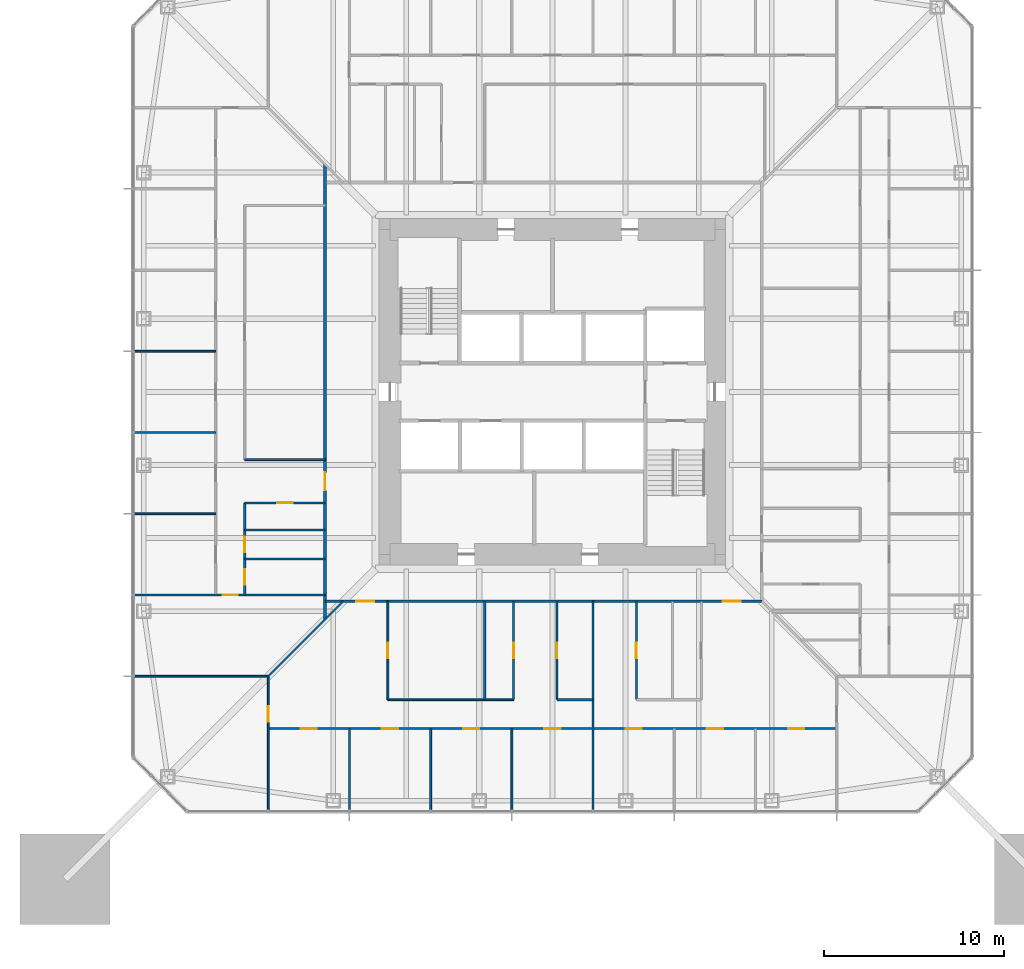
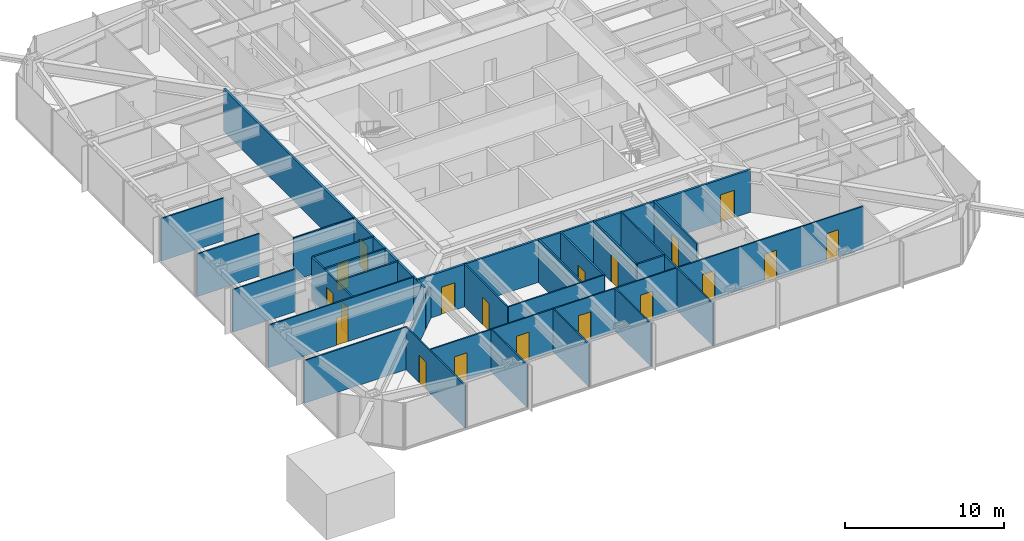
# One storey, part 14 of 26: 26 walls, 19 doors, 19 openings.
"""IFC4 building model written with IfcOpenShell, lengths in metres."""

from ifc_helpers import new_model, si_unit, direction, frame, frame_2d, origin, place, context, subcontext, project, spatial, rectangle, extrude, material, layer, layer_set, type_object, element, fill, save


model = new_model("IFC4")

# Units and contexts
model_context = context("Model", 3, precision=1e-05, world=origin(), true_north=direction((0.0, 1.0)))
body_context = subcontext(model_context, "Body", "Model", "MODEL_VIEW")
ifc_project = project(units=[si_unit("LENGTHUNIT", "METRE"), si_unit("AREAUNIT", "SQUARE_METRE"), si_unit("VOLUMEUNIT", "CUBIC_METRE"), si_unit("PLANEANGLEUNIT", "RADIAN"), si_unit("MASSUNIT", "GRAM", prefix="KILO")], contexts=[model_context])

# Site, building, storey
site_placement = place(None, origin())
site = spatial("IfcSite", under=ifc_project, at=site_placement, CompositionType="ELEMENT")
building_placement = place(site_placement, origin())
building = spatial("IfcBuilding", under=site, at=building_placement, Name="Iwan Alto Co-Living Towers", CompositionType="ELEMENT")
storey_placement = place(building_placement, frame((0.0, 0.0, 50.0)))
storey = spatial("IfcBuildingStorey", under=building, at=storey_placement, Name="L13", CompositionType="ELEMENT", Elevation=50.0)

# Wall, openings, doors
ifc_material_1 = material(Name="Gypsum board")
ifc_layer_1 = layer(ifc_material_1, 0.02490234375, Name="Board", Category="Finish")
ifc_material_2 = material(Name="Steel ASTM A1003 ST33H cold-formed studs", Category="steel")
ifc_layer_2 = layer(ifc_material_2, 0.10009765625, Name="Studs", Category="Framing")
ifc_layer_3 = layer(ifc_material_1, 0.02490234375, Name="Board", Category="Finish")
ifc_layer_set_1 = layer_set([ifc_layer_1, ifc_layer_2, ifc_layer_3], Name="CORRIDOR WALL 150")
wall_type_1 = type_object("IfcWallType", Name="CORRIDOR WALL 150", PredefinedType="PARTITIONING", material=ifc_layer_set_1)
wall_1_placement = place(storey_placement, frame((-12.60009765625, -11.60009765625, 0.0), z_axis=(0.0, 0.0, 1.0), x_axis=(1.0, 0.0, 0.0)))
wall_1 = element("IfcWall", 1, at=wall_1_placement, inside=storey, type_object=wall_type_1, Name="Partition L13", PredefinedType="PARTITIONING", context=body_context, shape_type="SweptSolid", body=[
    extrude(rectangle(XDim=24.2001953125, YDim=0.14990234375, at=frame_2d((12.10009765625, 0.0))), origin(), (0.0, 0.0, 1.0), 3.27001953125),
])
opening_1_placement = place(wall_1_placement, frame((1.739990234375, 0.0, 0.0)))
opening_1 = element("IfcOpeningElement", 2, at=opening_1_placement, cuts=wall_1, Name="Opening D3", PredefinedType="OPENING", context=body_context, shape_type="SweptSolid", body=[
    extrude(rectangle(XDim=1.0, YDim=2.10009765625, at=frame_2d((0.5, 1.050048828125))), frame((0.0, 0.0849609375, 0.0), z_axis=(0.0, -1.0, 0.0), x_axis=(1.0, 0.0, 0.0)), (0.0, 0.0, 1.0), 0.169921875),
])
opening_2_placement = place(wall_1_placement, frame((22.02490234375, 0.0, 0.0)))
opening_2 = element("IfcOpeningElement", 3, at=opening_2_placement, cuts=wall_1, Name="Opening D3", PredefinedType="OPENING", context=body_context, shape_type="SweptSolid", body=[
    extrude(rectangle(XDim=1.0, YDim=2.10009765625, at=frame_2d((0.5, 1.050048828125))), frame((0.0, 0.0849609375, 0.0), z_axis=(0.0, -1.0, 0.0), x_axis=(1.0, 0.0, 0.0)), (0.0, 0.0, 1.0), 0.169921875),
])
ifc_material_3 = material(Name="Steel frame with timber leaf", Category="steel")
door_type_1 = type_object("IfcDoorType", Name="FLAT ENTRANCE DOOR FD30S 1000X2100", OperationType="SINGLE_SWING_LEFT", PredefinedType="DOOR", material=ifc_material_3)
door_1_placement = place(opening_1_placement, frame((1.0, 0.0, 0.0), z_axis=(0.0, 0.0, 1.0), x_axis=(-1.0, 0.0, 0.0)))
door_1 = element("IfcDoor", 4, at=door_1_placement, inside=storey, type_object=door_type_1, Name="Cluster lounge door L13", OperationType="SINGLE_SWING_LEFT", OverallHeight=2.10009765625, OverallWidth=1.0, PredefinedType="DOOR", context=body_context, shape_type="SweptSolid", body=[
    extrude(rectangle(XDim=1.0, YDim=2.10009765625, at=frame_2d((0.5, 1.050048828125))), frame((0.0, 0.02490234375, 0.0), z_axis=(0.0, -1.0, 0.0), x_axis=(1.0, 0.0, 0.0)), (0.0, 0.0, 1.0), 0.050048828125),
])
fill(opening_1, door_1)
door_2_placement = place(opening_2_placement, frame((1.0, 0.0, 0.0), z_axis=(0.0, 0.0, 1.0), x_axis=(-1.0, 0.0, 0.0)))
door_2 = element("IfcDoor", 5, at=door_2_placement, inside=storey, type_object=door_type_1, Name="Cluster lounge door L13", OperationType="SINGLE_SWING_RIGHT", OverallHeight=2.10009765625, OverallWidth=1.0, PredefinedType="DOOR", context=body_context, shape_type="SweptSolid", body=[
    extrude(rectangle(XDim=1.0, YDim=2.10009765625, at=frame_2d((0.5, 1.050048828125))), frame((0.0, 0.02490234375, 0.0), z_axis=(0.0, -1.0, 0.0), x_axis=(1.0, 0.0, 0.0)), (0.0, 0.0, 1.0), 0.050048828125),
])
fill(opening_2, door_2)

# Wall, opening, door
wall_2_placement = place(storey_placement, frame((-12.60009765625, -12.60009765625, 0.0), z_axis=(0.0, 0.0, 1.0), x_axis=(0.0, 1.0, 0.0)))
wall_2 = element("IfcWall", 6, at=wall_2_placement, inside=storey, type_object=wall_type_1, Name="Partition L13", PredefinedType="PARTITIONING", context=body_context, shape_type="SweptSolid", body=[
    extrude(rectangle(XDim=25.2001953125, YDim=0.14990234375, at=frame_2d((12.60009765625, 0.0))), origin(), (0.0, 0.0, 1.0), 3.27001953125),
])
opening_3_placement = place(wall_2_placement, frame((7.14990234375, 0.0, 0.0)))
opening_3 = element("IfcOpeningElement", 7, at=opening_3_placement, cuts=wall_2, Name="Opening D3", PredefinedType="OPENING", context=body_context, shape_type="SweptSolid", body=[
    extrude(rectangle(XDim=1.0, YDim=2.10009765625, at=frame_2d((0.5, 1.050048828125))), frame((0.0, 0.0849609375, 0.0), z_axis=(0.0, -1.0, 0.0), x_axis=(1.0, 0.0, 0.0)), (0.0, 0.0, 1.0), 0.169921875),
])
door_3_placement = place(opening_3_placement, origin())
door_3 = element("IfcDoor", 8, at=door_3_placement, inside=storey, type_object=door_type_1, Name="Cluster lounge and shared kitchen door L13", OperationType="SINGLE_SWING_LEFT", OverallHeight=2.10009765625, OverallWidth=1.0, PredefinedType="DOOR", context=body_context, shape_type="SweptSolid", body=[
    extrude(rectangle(XDim=1.0, YDim=2.10009765625, at=frame_2d((0.5, 1.050048828125))), frame((0.0, 0.02490234375, 0.0), z_axis=(0.0, -1.0, 0.0), x_axis=(1.0, 0.0, 0.0)), (0.0, 0.0, 1.0), 0.050048828125),
])
fill(opening_3, door_3)

# Wall, openings, doors
ifc_layer_4 = layer(ifc_material_1, 0.012451171875, Name="Board", Category="Finish")
ifc_layer_5 = layer(ifc_material_2, 0.074951171875, Name="Studs", Category="Framing")
ifc_layer_6 = layer(ifc_material_1, 0.012451171875, Name="Board", Category="Finish")
ifc_layer_set_2 = layer_set([ifc_layer_4, ifc_layer_5, ifc_layer_6], Name="PARTITION 100")
wall_type_2 = type_object("IfcWallType", Name="PARTITION 100", PredefinedType="PARTITIONING", material=ifc_layer_set_2)
wall_3_placement = place(storey_placement, frame((-15.75, -18.64990234375, 0.0), z_axis=(0.0, 0.0, 1.0), x_axis=(1.0, 0.0, 0.0)))
wall_3 = element("IfcWall", 9, at=wall_3_placement, inside=storey, type_object=wall_type_2, Name="Partition L13", PredefinedType="PARTITIONING", context=body_context, shape_type="SweptSolid", body=[
    extrude(rectangle(XDim=31.5, YDim=0.10009765625, at=frame_2d((15.75, 0.0))), origin(), (0.0, 0.0, 1.0), 3.27001953125),
])
opening_4_placement = place(wall_3_placement, frame((1.800048828125, 0.0, 0.0)))
opening_4 = element("IfcOpeningElement", 10, at=opening_4_placement, cuts=wall_3, Name="Opening D1", PredefinedType="OPENING", context=body_context, shape_type="SweptSolid", body=[
    extrude(rectangle(XDim=0.89990234375, YDim=2.10009765625, at=frame_2d((0.449951171875, 1.050048828125))), frame((0.0, 0.06005859375, 0.0), z_axis=(0.0, -1.0, 0.0), x_axis=(1.0, 0.0, 0.0)), (0.0, 0.0, 1.0), 0.1201171875),
])
opening_5_placement = place(wall_3_placement, frame((6.300048828125, 0.0, 0.0)))
opening_5 = element("IfcOpeningElement", 11, at=opening_5_placement, cuts=wall_3, Name="Opening D1", PredefinedType="OPENING", context=body_context, shape_type="SweptSolid", body=[
    extrude(rectangle(XDim=0.89990234375, YDim=2.10009765625, at=frame_2d((0.449951171875, 1.050048828125))), frame((0.0, 0.06005859375, 0.0), z_axis=(0.0, -1.0, 0.0), x_axis=(1.0, 0.0, 0.0)), (0.0, 0.0, 1.0), 0.1201171875),
])
opening_6_placement = place(wall_3_placement, frame((10.800048828125, 0.0, 0.0)))
opening_6 = element("IfcOpeningElement", 12, at=opening_6_placement, cuts=wall_3, Name="Opening D1", PredefinedType="OPENING", context=body_context, shape_type="SweptSolid", body=[
    extrude(rectangle(XDim=0.89990234375, YDim=2.10009765625, at=frame_2d((0.449951171875, 1.050048828125))), frame((0.0, 0.06005859375, 0.0), z_axis=(0.0, -1.0, 0.0), x_axis=(1.0, 0.0, 0.0)), (0.0, 0.0, 1.0), 0.1201171875),
])
opening_7_placement = place(wall_3_placement, frame((15.300048828125, 0.0, 0.0)))
opening_7 = element("IfcOpeningElement", 13, at=opening_7_placement, cuts=wall_3, Name="Opening D1", PredefinedType="OPENING", context=body_context, shape_type="SweptSolid", body=[
    extrude(rectangle(XDim=0.89990234375, YDim=2.10009765625, at=frame_2d((0.449951171875, 1.050048828125))), frame((0.0, 0.06005859375, 0.0), z_axis=(0.0, -1.0, 0.0), x_axis=(1.0, 0.0, 0.0)), (0.0, 0.0, 1.0), 0.1201171875),
])
opening_8_placement = place(wall_3_placement, frame((19.800048828125, 0.0, 0.0)))
opening_8 = element("IfcOpeningElement", 14, at=opening_8_placement, cuts=wall_3, Name="Opening D1", PredefinedType="OPENING", context=body_context, shape_type="SweptSolid", body=[
    extrude(rectangle(XDim=0.89990234375, YDim=2.10009765625, at=frame_2d((0.449951171875, 1.050048828125))), frame((0.0, 0.06005859375, 0.0), z_axis=(0.0, -1.0, 0.0), x_axis=(1.0, 0.0, 0.0)), (0.0, 0.0, 1.0), 0.1201171875),
])
opening_9_placement = place(wall_3_placement, frame((24.300048828125, 0.0, 0.0)))
opening_9 = element("IfcOpeningElement", 15, at=opening_9_placement, cuts=wall_3, Name="Opening D1", PredefinedType="OPENING", context=body_context, shape_type="SweptSolid", body=[
    extrude(rectangle(XDim=0.89990234375, YDim=2.10009765625, at=frame_2d((0.449951171875, 1.050048828125))), frame((0.0, 0.06005859375, 0.0), z_axis=(0.0, -1.0, 0.0), x_axis=(1.0, 0.0, 0.0)), (0.0, 0.0, 1.0), 0.1201171875),
])
opening_10_placement = place(wall_3_placement, frame((28.800048828125, 0.0, 0.0)))
opening_10 = element("IfcOpeningElement", 16, at=opening_10_placement, cuts=wall_3, Name="Opening D1", PredefinedType="OPENING", context=body_context, shape_type="SweptSolid", body=[
    extrude(rectangle(XDim=0.89990234375, YDim=2.10009765625, at=frame_2d((0.449951171875, 1.050048828125))), frame((0.0, 0.06005859375, 0.0), z_axis=(0.0, -1.0, 0.0), x_axis=(1.0, 0.0, 0.0)), (0.0, 0.0, 1.0), 0.1201171875),
])
ifc_material_4 = material(Name="Timber leaf in steel frame", Category="steel")
door_type_2 = type_object("IfcDoorType", Name="BEDROOM DOOR 900X2100", OperationType="SINGLE_SWING_LEFT", PredefinedType="DOOR", material=ifc_material_4)
door_4_placement = place(opening_4_placement, origin())
door_4 = element("IfcDoor", 17, at=door_4_placement, inside=storey, type_object=door_type_2, Name="Study bedroom door L13", OperationType="SINGLE_SWING_LEFT", OverallHeight=2.10009765625, OverallWidth=0.89990234375, PredefinedType="DOOR", context=body_context, shape_type="SweptSolid", body=[
    extrude(rectangle(XDim=0.89990234375, YDim=2.10009765625, at=frame_2d((0.449951171875, 1.050048828125))), frame((0.0, 0.02490234375, 0.0), z_axis=(0.0, -1.0, 0.0), x_axis=(1.0, 0.0, 0.0)), (0.0, 0.0, 1.0), 0.050048828125),
])
fill(opening_4, door_4)
door_5_placement = place(opening_5_placement, origin())
door_5 = element("IfcDoor", 18, at=door_5_placement, inside=storey, type_object=door_type_2, Name="Study bedroom door L13", OperationType="SINGLE_SWING_LEFT", OverallHeight=2.10009765625, OverallWidth=0.89990234375, PredefinedType="DOOR", context=body_context, shape_type="SweptSolid", body=[
    extrude(rectangle(XDim=0.89990234375, YDim=2.10009765625, at=frame_2d((0.449951171875, 1.050048828125))), frame((0.0, 0.02490234375, 0.0), z_axis=(0.0, -1.0, 0.0), x_axis=(1.0, 0.0, 0.0)), (0.0, 0.0, 1.0), 0.050048828125),
])
fill(opening_5, door_5)
door_6_placement = place(opening_6_placement, origin())
door_6 = element("IfcDoor", 19, at=door_6_placement, inside=storey, type_object=door_type_2, Name="Study bedroom door L13", OperationType="SINGLE_SWING_RIGHT", OverallHeight=2.10009765625, OverallWidth=0.89990234375, PredefinedType="DOOR", context=body_context, shape_type="SweptSolid", body=[
    extrude(rectangle(XDim=0.89990234375, YDim=2.10009765625, at=frame_2d((0.449951171875, 1.050048828125))), frame((0.0, 0.02490234375, 0.0), z_axis=(0.0, -1.0, 0.0), x_axis=(1.0, 0.0, 0.0)), (0.0, 0.0, 1.0), 0.050048828125),
])
fill(opening_6, door_6)
door_7_placement = place(opening_7_placement, origin())
door_7 = element("IfcDoor", 20, at=door_7_placement, inside=storey, type_object=door_type_2, Name="Study bedroom door L13", OperationType="SINGLE_SWING_RIGHT", OverallHeight=2.10009765625, OverallWidth=0.89990234375, PredefinedType="DOOR", context=body_context, shape_type="SweptSolid", body=[
    extrude(rectangle(XDim=0.89990234375, YDim=2.10009765625, at=frame_2d((0.449951171875, 1.050048828125))), frame((0.0, 0.02490234375, 0.0), z_axis=(0.0, -1.0, 0.0), x_axis=(1.0, 0.0, 0.0)), (0.0, 0.0, 1.0), 0.050048828125),
])
fill(opening_7, door_7)
door_8_placement = place(opening_8_placement, origin())
door_8 = element("IfcDoor", 21, at=door_8_placement, inside=storey, type_object=door_type_2, Name="Study bedroom door L13", OperationType="SINGLE_SWING_LEFT", OverallHeight=2.10009765625, OverallWidth=0.89990234375, PredefinedType="DOOR", context=body_context, shape_type="SweptSolid", body=[
    extrude(rectangle(XDim=0.89990234375, YDim=2.10009765625, at=frame_2d((0.449951171875, 1.050048828125))), frame((0.0, 0.02490234375, 0.0), z_axis=(0.0, -1.0, 0.0), x_axis=(1.0, 0.0, 0.0)), (0.0, 0.0, 1.0), 0.050048828125),
])
fill(opening_8, door_8)
door_9_placement = place(opening_9_placement, origin())
door_9 = element("IfcDoor", 22, at=door_9_placement, inside=storey, type_object=door_type_2, Name="Study bedroom door L13", OperationType="SINGLE_SWING_LEFT", OverallHeight=2.10009765625, OverallWidth=0.89990234375, PredefinedType="DOOR", context=body_context, shape_type="SweptSolid", body=[
    extrude(rectangle(XDim=0.89990234375, YDim=2.10009765625, at=frame_2d((0.449951171875, 1.050048828125))), frame((0.0, 0.02490234375, 0.0), z_axis=(0.0, -1.0, 0.0), x_axis=(1.0, 0.0, 0.0)), (0.0, 0.0, 1.0), 0.050048828125),
])
fill(opening_9, door_9)
door_10_placement = place(opening_10_placement, origin())
door_10 = element("IfcDoor", 23, at=door_10_placement, inside=storey, type_object=door_type_2, Name="Study bedroom door L13", OperationType="SINGLE_SWING_RIGHT", OverallHeight=2.10009765625, OverallWidth=0.89990234375, PredefinedType="DOOR", context=body_context, shape_type="SweptSolid", body=[
    extrude(rectangle(XDim=0.89990234375, YDim=2.10009765625, at=frame_2d((0.449951171875, 1.050048828125))), frame((0.0, 0.02490234375, 0.0), z_axis=(0.0, -1.0, 0.0), x_axis=(1.0, 0.0, 0.0)), (0.0, 0.0, 1.0), 0.050048828125),
])
fill(opening_10, door_10)

# Walls
wall_4_placement = place(storey_placement, frame((-9.1201171875, -17.050048828125, 0.0), z_axis=(0.0, 0.0, 1.0), x_axis=(1.0, 0.0, 0.0)))
element("IfcWall", 24, at=wall_4_placement, inside=storey, type_object=wall_type_2, Name="Partition L13", PredefinedType="PARTITIONING", context=body_context, shape_type="SweptSolid", body=[
    extrude(rectangle(XDim=6.97021484375, YDim=0.10009765625, at=frame_2d((3.485107421875, 0.0))), origin(), (0.0, 0.0, 1.0), 3.27001953125),
])
wall_5_placement = place(storey_placement, frame((-23.18994140625, -15.75, 0.0), z_axis=(0.0, 0.0, 1.0), x_axis=(1.0, 0.0, 0.0)))
element("IfcWall", 25, at=wall_5_placement, inside=storey, type_object=wall_type_2, Name="Partition L13", PredefinedType="PARTITIONING", context=body_context, shape_type="SweptSolid", body=[
    extrude(rectangle(XDim=7.43994140625, YDim=0.10009765625, at=frame_2d((3.719970703125, 0.0))), origin(), (0.0, 0.0, 1.0), 3.27001953125),
])

# Wall, opening, door
wall_6_placement = place(storey_placement, frame((-23.18994140625, -11.25, 0.0), z_axis=(0.0, 0.0, 1.0), x_axis=(1.0, 0.0, 0.0)))
wall_6 = element("IfcWall", 26, at=wall_6_placement, inside=storey, type_object=wall_type_2, Name="Partition L13", PredefinedType="PARTITIONING", context=body_context, shape_type="SweptSolid", body=[
    extrude(rectangle(XDim=10.58984375, YDim=0.10009765625, at=frame_2d((5.294921875, 0.0))), origin(), (0.0, 0.0, 1.0), 3.27001953125),
])
opening_11_placement = place(wall_6_placement, frame((4.9150390625, 0.0, 0.0)))
opening_11 = element("IfcOpeningElement", 27, at=opening_11_placement, cuts=wall_6, Name="Opening D2", PredefinedType="OPENING", context=body_context, shape_type="SweptSolid", body=[
    extrude(rectangle(XDim=0.85009765625, YDim=2.10009765625, at=frame_2d((0.425048828125, 1.050048828125))), frame((0.0, 0.06005859375, 0.0), z_axis=(0.0, -1.0, 0.0), x_axis=(1.0, 0.0, 0.0)), (0.0, 0.0, 1.0), 0.1201171875),
])
ifc_material_5 = material(Name="Timber leaf in steel frame", Category="steel")
door_type_3 = type_object("IfcDoorType", Name="ROOM DOOR 850X2100", OperationType="SINGLE_SWING_LEFT", PredefinedType="DOOR", material=ifc_material_5)
door_11_placement = place(opening_11_placement, origin())
door_11 = element("IfcDoor", 28, at=door_11_placement, inside=storey, type_object=door_type_3, Name="Co-working room door L13", OperationType="SINGLE_SWING_LEFT", OverallHeight=2.10009765625, OverallWidth=0.85009765625, PredefinedType="DOOR", context=body_context, shape_type="SweptSolid", body=[
    extrude(rectangle(XDim=0.85009765625, YDim=2.10009765625, at=frame_2d((0.425048828125, 1.050048828125))), frame((0.0, 0.02490234375, 0.0), z_axis=(0.0, -1.0, 0.0), x_axis=(1.0, 0.0, 0.0)), (0.0, 0.0, 1.0), 0.050048828125),
])
fill(opening_11, door_11)

# Walls
wall_7_placement = place(storey_placement, frame((-23.18994140625, -6.75, 0.0), z_axis=(0.0, 0.0, 1.0), x_axis=(1.0, 0.0, 0.0)))
element("IfcWall", 29, at=wall_7_placement, inside=storey, type_object=wall_type_2, Name="Partition L13", PredefinedType="PARTITIONING", context=body_context, shape_type="SweptSolid", body=[
    extrude(rectangle(XDim=4.5400390625, YDim=0.10009765625, at=frame_2d((2.27001953125, 0.0))), origin(), (0.0, 0.0, 1.0), 3.27001953125),
])
wall_8_placement = place(storey_placement, frame((-17.050048828125, -3.75, 0.0), z_axis=(0.0, 0.0, 1.0), x_axis=(1.0, 0.0, 0.0)))
element("IfcWall", 30, at=wall_8_placement, inside=storey, type_object=wall_type_2, Name="Partition L13", PredefinedType="PARTITIONING", context=body_context, shape_type="SweptSolid", body=[
    extrude(rectangle(XDim=4.449951171875, YDim=0.10009765625, at=frame_2d((2.22509765625, 0.0))), origin(), (0.0, 0.0, 1.0), 3.27001953125),
])
for number, where, z_axis, x_axis, name in (
    (31, (-23.18994140625, -2.25, 0.0), (0.0, 0.0, 1.0), (1.0, 0.0, 0.0), "Partition L13"),
    (32, (-23.18994140625, 2.25, 0.0), (0.0, 0.0, 1.0), (1.0, 0.0, 0.0), "Partition L13"),
):
    element("IfcWall", number, at=place(storey_placement, frame(where, z_axis=z_axis, x_axis=x_axis)), inside=storey, type_object=wall_type_2, Name=name, PredefinedType="PARTITIONING", context=body_context, shape_type="SweptSolid", body=[
        extrude(rectangle(XDim=4.5400390625, YDim=0.10009765625, at=frame_2d((2.27001953125, 0.0))), origin(), (0.0, 0.0, 1.0), 3.27001953125),
    ])
wall_9_placement = place(storey_placement, frame((-15.75, -15.75, 0.0), z_axis=(0.0, 0.0, 1.0), x_axis=(0.707106781187, 0.707106781187, 0.0)))
element("IfcWall", 33, at=wall_9_placement, inside=storey, type_object=wall_type_2, Name="Partition L13", PredefinedType="PARTITIONING", context=body_context, shape_type="SweptSolid", body=[
    extrude(rectangle(XDim=5.868896484375, YDim=0.10009765625, at=frame_2d((2.9345703125, 0.0))), origin(), (0.0, 0.0, 1.0), 2.343017578125),
])
wall_10_placement = place(storey_placement, frame((2.25, -23.18994140625, 0.0), z_axis=(0.0, 0.0, 1.0), x_axis=(0.0, 1.0, 0.0)))
element("IfcWall", 34, at=wall_10_placement, inside=storey, type_object=wall_type_2, Name="Partition L13", PredefinedType="PARTITIONING", context=body_context, shape_type="SweptSolid", body=[
    extrude(rectangle(XDim=11.58984375, YDim=0.10009765625, at=frame_2d((5.794921875, 0.0))), origin(), (0.0, 0.0, 1.0), 3.27001953125),
])
for number, where, z_axis, x_axis, name in (
    (35, (-2.25, -23.18994140625, 0.0), (0.0, 0.0, 1.0), (0.0, 1.0, 0.0), "Partition L13"),
    (36, (-6.75, -23.18994140625, 0.0), (0.0, 0.0, 1.0), (0.0, 1.0, 0.0), "Partition L13"),
):
    element("IfcWall", number, at=place(storey_placement, frame(where, z_axis=z_axis, x_axis=x_axis)), inside=storey, type_object=wall_type_2, Name=name, PredefinedType="PARTITIONING", context=body_context, shape_type="SweptSolid", body=[
        extrude(rectangle(XDim=4.5400390625, YDim=0.10009765625, at=frame_2d((2.27001953125, 0.0))), origin(), (0.0, 0.0, 1.0), 3.27001953125),
    ])

# Wall, opening, door
wall_11_placement = place(storey_placement, frame((-9.1201171875, -17.050048828125, 0.0), z_axis=(0.0, 0.0, 1.0), x_axis=(0.0, 1.0, 0.0)))
wall_11 = element("IfcWall", 37, at=wall_11_placement, inside=storey, type_object=wall_type_2, Name="Partition L13", PredefinedType="PARTITIONING", context=body_context, shape_type="SweptSolid", body=[
    extrude(rectangle(XDim=5.449951171875, YDim=0.10009765625, at=frame_2d((2.72509765625, 0.0))), origin(), (0.0, 0.0, 1.0), 3.27001953125),
])
opening_12_placement = place(wall_11_placement, frame((2.300048828125, 0.0, 0.0)))
opening_12 = element("IfcOpeningElement", 38, at=opening_12_placement, cuts=wall_11, Name="Opening D2", PredefinedType="OPENING", context=body_context, shape_type="SweptSolid", body=[
    extrude(rectangle(XDim=0.85009765625, YDim=2.10009765625, at=frame_2d((0.425048828125, 1.050048828125))), frame((0.0, 0.06005859375, 0.0), z_axis=(0.0, -1.0, 0.0), x_axis=(1.0, 0.0, 0.0)), (0.0, 0.0, 1.0), 0.1201171875),
])
door_12_placement = place(opening_12_placement, origin())
door_12 = element("IfcDoor", 39, at=door_12_placement, inside=storey, type_object=door_type_3, Name="Study room door L13", OperationType="SINGLE_SWING_RIGHT", OverallHeight=2.10009765625, OverallWidth=0.85009765625, PredefinedType="DOOR", context=body_context, shape_type="SweptSolid", body=[
    extrude(rectangle(XDim=0.85009765625, YDim=2.10009765625, at=frame_2d((0.425048828125, 1.050048828125))), frame((0.0, 0.02490234375, 0.0), z_axis=(0.0, -1.0, 0.0), x_axis=(1.0, 0.0, 0.0)), (0.0, 0.0, 1.0), 0.050048828125),
])
fill(opening_12, door_12)

# Wall
wall_12_placement = place(storey_placement, frame((-11.25, -23.18994140625, 0.0), z_axis=(0.0, 0.0, 1.0), x_axis=(0.0, 1.0, 0.0)))
element("IfcWall", 40, at=wall_12_placement, inside=storey, type_object=wall_type_2, Name="Partition L13", PredefinedType="PARTITIONING", context=body_context, shape_type="SweptSolid", body=[
    extrude(rectangle(XDim=4.5400390625, YDim=0.10009765625, at=frame_2d((2.27001953125, 0.0))), origin(), (0.0, 0.0, 1.0), 3.27001953125),
])

# Wall, opening, door
wall_13_placement = place(storey_placement, frame((-15.75, -23.18994140625, 0.0), z_axis=(0.0, 0.0, 1.0), x_axis=(0.0, 1.0, 0.0)))
wall_13 = element("IfcWall", 41, at=wall_13_placement, inside=storey, type_object=wall_type_2, Name="Partition L13", PredefinedType="PARTITIONING", context=body_context, shape_type="SweptSolid", body=[
    extrude(rectangle(XDim=7.43994140625, YDim=0.10009765625, at=frame_2d((3.719970703125, 0.0))), origin(), (0.0, 0.0, 1.0), 3.27001953125),
])
opening_13_placement = place(wall_13_placement, frame((4.9150390625, 0.0, 0.0)))
opening_13 = element("IfcOpeningElement", 42, at=opening_13_placement, cuts=wall_13, Name="Opening D2", PredefinedType="OPENING", context=body_context, shape_type="SweptSolid", body=[
    extrude(rectangle(XDim=0.85009765625, YDim=2.10009765625, at=frame_2d((0.425048828125, 1.050048828125))), frame((0.0, 0.06005859375, 0.0), z_axis=(0.0, -1.0, 0.0), x_axis=(1.0, 0.0, 0.0)), (0.0, 0.0, 1.0), 0.1201171875),
])
door_13_placement = place(opening_13_placement, frame((0.85009765625, 0.0, 0.0), z_axis=(0.0, 0.0, 1.0), x_axis=(-1.0, 0.0, 0.0)))
door_13 = element("IfcDoor", 43, at=door_13_placement, inside=storey, type_object=door_type_3, Name="Shared kitchen and dining room door L13", OperationType="SINGLE_SWING_RIGHT", OverallHeight=2.10009765625, OverallWidth=0.85009765625, PredefinedType="DOOR", context=body_context, shape_type="SweptSolid", body=[
    extrude(rectangle(XDim=0.85009765625, YDim=2.10009765625, at=frame_2d((0.425048828125, 1.050048828125))), frame((0.0, 0.02490234375, 0.0), z_axis=(0.0, -1.0, 0.0), x_axis=(1.0, 0.0, 0.0)), (0.0, 0.0, 1.0), 0.050048828125),
])
fill(opening_13, door_13)

# Walls
ifc_material_6 = material(Name="Cement board")
ifc_layer_7 = layer(ifc_material_6, 0.012451171875, Name="Board", Category="Finish")
ifc_layer_8 = layer(ifc_material_2, 0.094970703125, Name="Studs", Category="Framing")
ifc_layer_9 = layer(ifc_material_6, 0.012451171875, Name="Board", Category="Finish")
ifc_layer_set_3 = layer_set([ifc_layer_7, ifc_layer_8, ifc_layer_9], Name="WET AREA PARTITION 120")
wall_type_3 = type_object("IfcWallType", Name="WET AREA PARTITION 120", PredefinedType="PARTITIONING", material=ifc_layer_set_3)
wall_14_placement = place(storey_placement, frame((0.25, -17.050048828125, 0.0), z_axis=(0.0, 0.0, 1.0), x_axis=(1.0, 0.0, 0.0)))
element("IfcWall", 44, at=wall_14_placement, inside=storey, type_object=wall_type_3, Name="Partition L13", PredefinedType="PARTITIONING", context=body_context, shape_type="SweptSolid", body=[
    extrude(rectangle(XDim=2.0, YDim=0.1201171875, at=frame_2d((1.0, 0.0))), origin(), (0.0, 0.0, 1.0), 3.27001953125),
])
for number, where, z_axis, x_axis, name in (
    (45, (-17.050048828125, -9.25, 0.0), (0.0, 0.0, 1.0), (1.0, 0.0, 0.0), "Partition L13"),
    (46, (-17.050048828125, -7.64990234375, 0.0), (0.0, 0.0, 1.0), (1.0, 0.0, 0.0), "Partition L13"),
):
    element("IfcWall", number, at=place(storey_placement, frame(where, z_axis=z_axis, x_axis=x_axis)), inside=storey, type_object=wall_type_3, Name=name, PredefinedType="PARTITIONING", context=body_context, shape_type="SweptSolid", body=[
        extrude(rectangle(XDim=4.449951171875, YDim=0.1201171875, at=frame_2d((2.22509765625, 0.0))), origin(), (0.0, 0.0, 1.0), 3.27001953125),
    ])

# Wall, opening, door
wall_15_placement = place(storey_placement, frame((-17.050048828125, -6.14990234375, 0.0), z_axis=(0.0, 0.0, 1.0), x_axis=(1.0, 0.0, 0.0)))
wall_15 = element("IfcWall", 47, at=wall_15_placement, inside=storey, type_object=wall_type_3, Name="Partition L13", PredefinedType="PARTITIONING", context=body_context, shape_type="SweptSolid", body=[
    extrude(rectangle(XDim=4.449951171875, YDim=0.1201171875, at=frame_2d((2.22509765625, 0.0))), origin(), (0.0, 0.0, 1.0), 3.27001953125),
])
opening_14_placement = place(wall_15_placement, frame((1.800048828125, 0.0, 0.0)))
opening_14 = element("IfcOpeningElement", 48, at=opening_14_placement, cuts=wall_15, Name="Opening D2", PredefinedType="OPENING", context=body_context, shape_type="SweptSolid", body=[
    extrude(rectangle(XDim=0.85009765625, YDim=2.10009765625, at=frame_2d((0.425048828125, 1.050048828125))), frame((0.0, 0.070068359375, 0.0), z_axis=(0.0, -1.0, 0.0), x_axis=(1.0, 0.0, 0.0)), (0.0, 0.0, 1.0), 0.14013671875),
])
door_14_placement = place(opening_14_placement, origin())
door_14 = element("IfcDoor", 49, at=door_14_placement, inside=storey, type_object=door_type_3, Name="Bathroom door L13", OperationType="SINGLE_SWING_RIGHT", OverallHeight=2.10009765625, OverallWidth=0.85009765625, PredefinedType="DOOR", context=body_context, shape_type="SweptSolid", body=[
    extrude(rectangle(XDim=0.85009765625, YDim=2.10009765625, at=frame_2d((0.425048828125, 1.050048828125))), frame((0.0, 0.02490234375, 0.0), z_axis=(0.0, -1.0, 0.0), x_axis=(1.0, 0.0, 0.0)), (0.0, 0.0, 1.0), 0.050048828125),
])
fill(opening_14, door_14)

wall_16_placement = place(storey_placement, frame((4.64990234375, -17.050048828125, 0.0), z_axis=(0.0, 0.0, 1.0), x_axis=(0.0, 1.0, 0.0)))
wall_16 = element("IfcWall", 50, at=wall_16_placement, inside=storey, type_object=wall_type_3, Name="Partition L13", PredefinedType="PARTITIONING", context=body_context, shape_type="SweptSolid", body=[
    extrude(rectangle(XDim=5.449951171875, YDim=0.1201171875, at=frame_2d((2.72509765625, 0.0))), origin(), (0.0, 0.0, 1.0), 3.27001953125),
])
opening_15_placement = place(wall_16_placement, frame((2.300048828125, 0.0, 0.0)))
opening_15 = element("IfcOpeningElement", 51, at=opening_15_placement, cuts=wall_16, Name="Opening D2", PredefinedType="OPENING", context=body_context, shape_type="SweptSolid", body=[
    extrude(rectangle(XDim=0.85009765625, YDim=2.10009765625, at=frame_2d((0.425048828125, 1.050048828125))), frame((0.0, 0.070068359375, 0.0), z_axis=(0.0, -1.0, 0.0), x_axis=(1.0, 0.0, 0.0)), (0.0, 0.0, 1.0), 0.14013671875),
])
door_15_placement = place(opening_15_placement, origin())
door_15 = element("IfcDoor", 52, at=door_15_placement, inside=storey, type_object=door_type_3, Name="Laundry door L13", OperationType="SINGLE_SWING_RIGHT", OverallHeight=2.10009765625, OverallWidth=0.85009765625, PredefinedType="DOOR", context=body_context, shape_type="SweptSolid", body=[
    extrude(rectangle(XDim=0.85009765625, YDim=2.10009765625, at=frame_2d((0.425048828125, 1.050048828125))), frame((0.0, 0.02490234375, 0.0), z_axis=(0.0, -1.0, 0.0), x_axis=(1.0, 0.0, 0.0)), (0.0, 0.0, 1.0), 0.050048828125),
])
fill(opening_15, door_15)

wall_17_placement = place(storey_placement, frame((0.25, -17.050048828125, 0.0), z_axis=(0.0, 0.0, 1.0), x_axis=(0.0, 1.0, 0.0)))
wall_17 = element("IfcWall", 53, at=wall_17_placement, inside=storey, type_object=wall_type_3, Name="Partition L13", PredefinedType="PARTITIONING", context=body_context, shape_type="SweptSolid", body=[
    extrude(rectangle(XDim=5.449951171875, YDim=0.1201171875, at=frame_2d((2.72509765625, 0.0))), origin(), (0.0, 0.0, 1.0), 3.27001953125),
])
opening_16_placement = place(wall_17_placement, frame((2.300048828125, 0.0, 0.0)))
opening_16 = element("IfcOpeningElement", 54, at=opening_16_placement, cuts=wall_17, Name="Opening D2", PredefinedType="OPENING", context=body_context, shape_type="SweptSolid", body=[
    extrude(rectangle(XDim=0.85009765625, YDim=2.10009765625, at=frame_2d((0.425048828125, 1.050048828125))), frame((0.0, 0.070068359375, 0.0), z_axis=(0.0, -1.0, 0.0), x_axis=(1.0, 0.0, 0.0)), (0.0, 0.0, 1.0), 0.14013671875),
])
door_16_placement = place(opening_16_placement, origin())
door_16 = element("IfcDoor", 55, at=door_16_placement, inside=storey, type_object=door_type_3, Name="Laundry door L13", OperationType="SINGLE_SWING_RIGHT", OverallHeight=2.10009765625, OverallWidth=0.85009765625, PredefinedType="DOOR", context=body_context, shape_type="SweptSolid", body=[
    extrude(rectangle(XDim=0.85009765625, YDim=2.10009765625, at=frame_2d((0.425048828125, 1.050048828125))), frame((0.0, 0.02490234375, 0.0), z_axis=(0.0, -1.0, 0.0), x_axis=(1.0, 0.0, 0.0)), (0.0, 0.0, 1.0), 0.050048828125),
])
fill(opening_16, door_16)

wall_18_placement = place(storey_placement, frame((-2.14990234375, -17.050048828125, 0.0), z_axis=(0.0, 0.0, 1.0), x_axis=(0.0, 1.0, 0.0)))
wall_18 = element("IfcWall", 56, at=wall_18_placement, inside=storey, type_object=wall_type_3, Name="Partition L13", PredefinedType="PARTITIONING", context=body_context, shape_type="SweptSolid", body=[
    extrude(rectangle(XDim=5.449951171875, YDim=0.1201171875, at=frame_2d((2.72509765625, 0.0))), origin(), (0.0, 0.0, 1.0), 3.27001953125),
])
opening_17_placement = place(wall_18_placement, frame((2.300048828125, 0.0, 0.0)))
opening_17 = element("IfcOpeningElement", 57, at=opening_17_placement, cuts=wall_18, Name="Opening D2", PredefinedType="OPENING", context=body_context, shape_type="SweptSolid", body=[
    extrude(rectangle(XDim=0.85009765625, YDim=2.10009765625, at=frame_2d((0.425048828125, 1.050048828125))), frame((0.0, 0.070068359375, 0.0), z_axis=(0.0, -1.0, 0.0), x_axis=(1.0, 0.0, 0.0)), (0.0, 0.0, 1.0), 0.14013671875),
])
door_17_placement = place(opening_17_placement, frame((0.85009765625, 0.0, 0.0), z_axis=(0.0, 0.0, 1.0), x_axis=(-1.0, 0.0, 0.0)))
door_17 = element("IfcDoor", 58, at=door_17_placement, inside=storey, type_object=door_type_3, Name="Accessible bathroom door L13", OperationType="SINGLE_SWING_LEFT", OverallHeight=2.10009765625, OverallWidth=0.85009765625, PredefinedType="DOOR", context=body_context, shape_type="SweptSolid", body=[
    extrude(rectangle(XDim=0.85009765625, YDim=2.10009765625, at=frame_2d((0.425048828125, 1.050048828125))), frame((0.0, 0.02490234375, 0.0), z_axis=(0.0, -1.0, 0.0), x_axis=(1.0, 0.0, 0.0)), (0.0, 0.0, 1.0), 0.050048828125),
])
fill(opening_17, door_17)

# Wall
wall_19_placement = place(storey_placement, frame((-3.75, -17.050048828125, 0.0), z_axis=(0.0, 0.0, 1.0), x_axis=(0.0, 1.0, 0.0)))
element("IfcWall", 59, at=wall_19_placement, inside=storey, type_object=wall_type_3, Name="Partition L13", PredefinedType="PARTITIONING", context=body_context, shape_type="SweptSolid", body=[
    extrude(rectangle(XDim=5.449951171875, YDim=0.1201171875, at=frame_2d((2.72509765625, 0.0))), origin(), (0.0, 0.0, 1.0), 3.27001953125),
])

# Wall, openings, doors
wall_20_placement = place(storey_placement, frame((-17.050048828125, -11.25, 0.0), z_axis=(0.0, 0.0, 1.0), x_axis=(0.0, 1.0, 0.0)))
wall_20 = element("IfcWall", 60, at=wall_20_placement, inside=storey, type_object=wall_type_3, Name="Partition L13", PredefinedType="PARTITIONING", context=body_context, shape_type="SweptSolid", body=[
    extrude(rectangle(XDim=5.10009765625, YDim=0.1201171875, at=frame_2d((2.550048828125, 0.0))), origin(), (0.0, 0.0, 1.0), 3.27001953125),
])
opening_18_placement = place(wall_20_placement, frame((2.375, 0.0, 0.0)))
opening_18 = element("IfcOpeningElement", 61, at=opening_18_placement, cuts=wall_20, Name="Opening D2", PredefinedType="OPENING", context=body_context, shape_type="SweptSolid", body=[
    extrude(rectangle(XDim=0.85009765625, YDim=2.10009765625, at=frame_2d((0.425048828125, 1.050048828125))), frame((0.0, 0.070068359375, 0.0), z_axis=(0.0, -1.0, 0.0), x_axis=(1.0, 0.0, 0.0)), (0.0, 0.0, 1.0), 0.14013671875),
])
opening_19_placement = place(wall_20_placement, frame((0.574951171875, 0.0, 0.0)))
opening_19 = element("IfcOpeningElement", 62, at=opening_19_placement, cuts=wall_20, Name="Opening D2", PredefinedType="OPENING", context=body_context, shape_type="SweptSolid", body=[
    extrude(rectangle(XDim=0.85009765625, YDim=2.10009765625, at=frame_2d((0.425048828125, 1.050048828125))), frame((0.0, 0.070068359375, 0.0), z_axis=(0.0, -1.0, 0.0), x_axis=(1.0, 0.0, 0.0)), (0.0, 0.0, 1.0), 0.14013671875),
])
door_18_placement = place(opening_18_placement, origin())
door_18 = element("IfcDoor", 63, at=door_18_placement, inside=storey, type_object=door_type_3, Name="Accessible bathroom door L13", OperationType="SINGLE_SWING_LEFT", OverallHeight=2.10009765625, OverallWidth=0.85009765625, PredefinedType="DOOR", context=body_context, shape_type="SweptSolid", body=[
    extrude(rectangle(XDim=0.85009765625, YDim=2.10009765625, at=frame_2d((0.425048828125, 1.050048828125))), frame((0.0, 0.02490234375, 0.0), z_axis=(0.0, -1.0, 0.0), x_axis=(1.0, 0.0, 0.0)), (0.0, 0.0, 1.0), 0.050048828125),
])
fill(opening_18, door_18)
door_19_placement = place(opening_19_placement, origin())
door_19 = element("IfcDoor", 64, at=door_19_placement, inside=storey, type_object=door_type_3, Name="Laundry door L13", OperationType="SINGLE_SWING_LEFT", OverallHeight=2.10009765625, OverallWidth=0.85009765625, PredefinedType="DOOR", context=body_context, shape_type="SweptSolid", body=[
    extrude(rectangle(XDim=0.85009765625, YDim=2.10009765625, at=frame_2d((0.425048828125, 1.050048828125))), frame((0.0, 0.02490234375, 0.0), z_axis=(0.0, -1.0, 0.0), x_axis=(1.0, 0.0, 0.0)), (0.0, 0.0, 1.0), 0.050048828125),
])
fill(opening_19, door_19)

save(model, "model.ifc")
